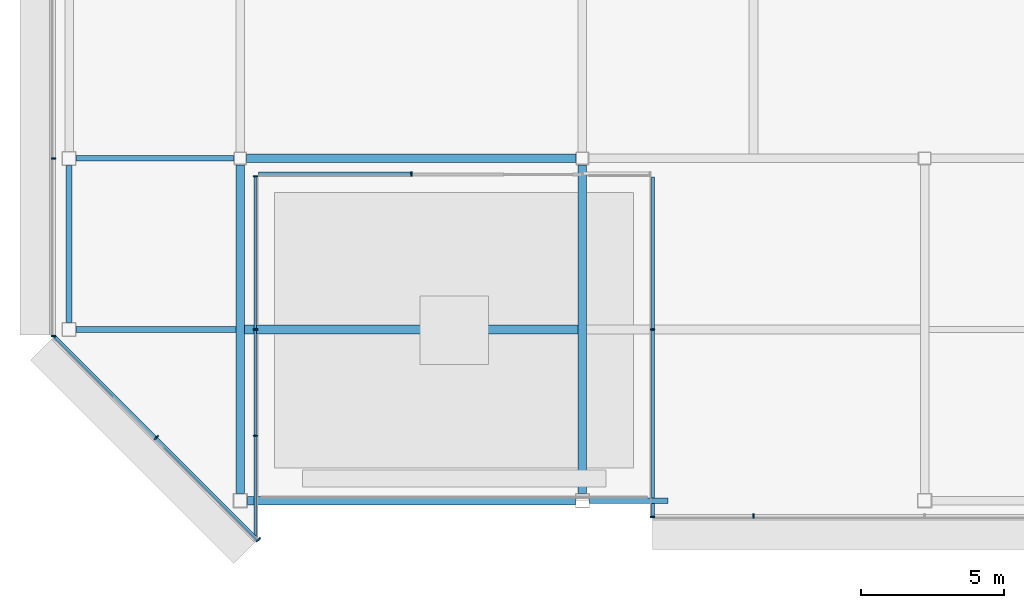
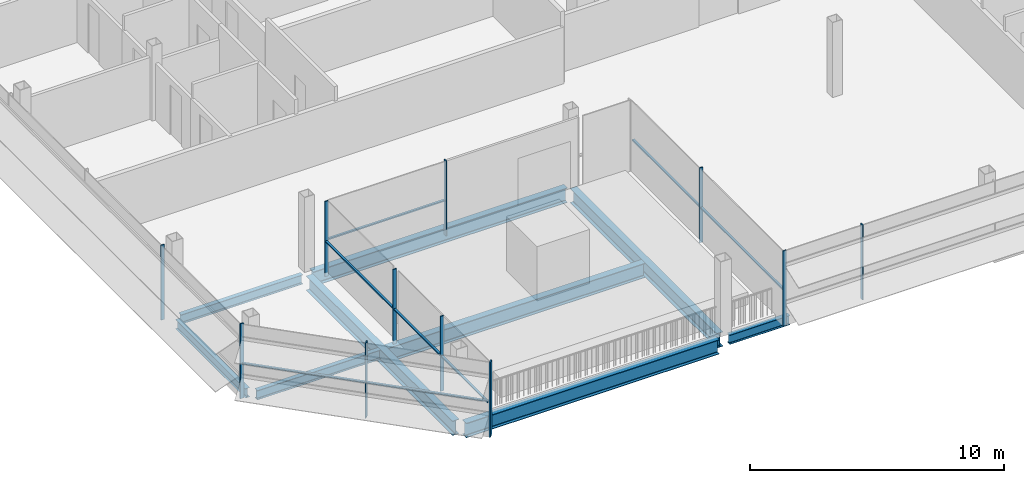
# One storey, part 4 of 31: 15 members, 9 beams, 6 elements without a shape of their own.
"""IFC4 building model written with IfcOpenShell, lengths in metres."""

from ifc_helpers import new_model, si_unit, direction, frame, origin, origin_2d, place, context, subcontext, project, spatial, rectangle, i_section, extrude, material, material_profile, profile_set, type_object, element, aggregate, save


model = new_model("IFC4")

# Units and contexts
model_context = context("Model", 3, precision=1e-05, world=origin(), true_north=direction((0.0, 1.0)))
body_context = subcontext(model_context, "Body", "Model", "MODEL_VIEW")
ifc_project = project(units=[si_unit("LENGTHUNIT", "METRE"), si_unit("AREAUNIT", "SQUARE_METRE"), si_unit("VOLUMEUNIT", "CUBIC_METRE"), si_unit("PLANEANGLEUNIT", "RADIAN"), si_unit("MASSUNIT", "GRAM", prefix="KILO")], contexts=[model_context])

# Site, building, storey
site_placement = place(None, origin())
site = spatial("IfcSite", under=ifc_project, at=site_placement, CompositionType="ELEMENT")
building_placement = place(site_placement, origin())
building = spatial("IfcBuilding", under=site, at=building_placement, Name="Sorahane Residences", CompositionType="ELEMENT")
storey_placement = place(building_placement, frame((0.0, 0.0, 319.60009765625)))
storey = spatial("IfcBuildingStorey", under=building, at=storey_placement, Name="L76", CompositionType="ELEMENT", Elevation=319.60009765625)

# Curtain wall, members
ifc_material_1 = material(Name="Dark low-e glass and black anodised aluminium", Category="aluminium")
curtain_wall_type_1 = type_object("IfcCurtainWallType", Name="Curtain wall CW-1 Typical unitised wall", PredefinedType="NOTDEFINED", material=ifc_material_1)
curtain_wall_1_placement = place(storey_placement, origin())
curtain_wall_1 = element("IfcCurtainWall", 1, at=curtain_wall_1_placement, inside=storey, type_object=curtain_wall_type_1, Name="CW-1 curtain wall L76 E1", PredefinedType="NOTDEFINED")
ifc_material_2 = material(Name="Black anodised aluminium", Category="aluminium")
ifc_material_profile_1 = material_profile(ifc_material_2, rectangle(XDim=0.159912109375, YDim=0.050048828125, at=origin_2d()), Name="Curtain wall mullion CW-1 black anodised aluminium 50x160")
ifc_profile_set_1 = profile_set([ifc_material_profile_1], Name="Black anodised aluminium")
member_type_1 = type_object("IfcMemberType", Name="Curtain wall mullion CW-1 black anodised aluminium 50x160", PredefinedType="MULLION", material=ifc_profile_set_1)
member_1_placement = place(storey_placement, frame((-11.4599609375, 2.275634765625, -0.18017578125), z_axis=(0.0, 0.0, 1.0), x_axis=(1.0, 0.0, 0.0)))
member_1 = element("IfcMember", 2, at=member_1_placement, type_object=member_type_1, Name="CW-1 mullion L76 E1.2", PredefinedType="MULLION", context=body_context, shape_type="SweptSolid", body=[
    extrude(rectangle(XDim=0.159912109375, YDim=0.050048828125, at=origin_2d()), origin(), (0.0, 0.0, 1.0), 3.60009765625),
])
member_2_placement = place(storey_placement, frame((-11.4599609375, 6.0, -0.18017578125), z_axis=(0.0, 0.0, 1.0), x_axis=(1.0, 0.0, 0.0)))
member_2 = element("IfcMember", 3, at=member_2_placement, type_object=member_type_1, Name="CW-1 mullion L76 E1.3", PredefinedType="MULLION", context=body_context, shape_type="SweptSolid", body=[
    extrude(rectangle(XDim=0.159912109375, YDim=0.050048828125, at=origin_2d()), origin(), (0.0, 0.0, 1.0), 3.60009765625),
])
member_3_placement = place(storey_placement, frame((-11.4599609375, 11.375, -0.18017578125), z_axis=(0.0, 0.0, 1.0), x_axis=(1.0, 0.0, 0.0)))
member_3 = element("IfcMember", 4, at=member_3_placement, type_object=member_type_1, Name="CW-1 mullion L76 E1.4", PredefinedType="MULLION", context=body_context, shape_type="SweptSolid", body=[
    extrude(rectangle(XDim=0.159912109375, YDim=0.050048828125, at=origin_2d()), origin(), (0.0, 0.0, 1.0), 3.60009765625),
])

# Curtain wall, member
curtain_wall_2_placement = place(storey_placement, origin())
curtain_wall_2 = element("IfcCurtainWall", 5, at=curtain_wall_2_placement, inside=storey, type_object=curtain_wall_type_1, Name="CW-1 curtain wall L76 S1", PredefinedType="NOTDEFINED")
member_4_placement = place(storey_placement, frame((-6.0, 11.4599609375, -0.18017578125), z_axis=(0.0, 0.0, 1.0), x_axis=(0.0, -1.0, 0.0)))
member_4 = element("IfcMember", 6, at=member_4_placement, type_object=member_type_1, Name="CW-1 mullion L76 S1.2", PredefinedType="MULLION", context=body_context, shape_type="SweptSolid", body=[
    extrude(rectangle(XDim=0.159912109375, YDim=0.050048828125, at=origin_2d()), origin(), (0.0, 0.0, 1.0), 3.60009765625),
])

# Curtain wall, members
curtain_wall_3_placement = place(storey_placement, origin())
curtain_wall_3 = element("IfcCurtainWall", 7, at=curtain_wall_3_placement, inside=storey, type_object=curtain_wall_type_1, Name="CW-1 curtain wall L76 W1", PredefinedType="NOTDEFINED")
member_5_placement = place(storey_placement, frame((2.4599609375, 6.0, -0.18017578125), z_axis=(0.0, 0.0, 1.0), x_axis=(-1.0, 0.0, 0.0)))
member_5 = element("IfcMember", 8, at=member_5_placement, type_object=member_type_1, Name="CW-1 mullion L76 W1.2", PredefinedType="MULLION", context=body_context, shape_type="SweptSolid", body=[
    extrude(rectangle(XDim=0.159912109375, YDim=0.050048828125, at=origin_2d()), origin(), (0.0, 0.0, 1.0), 3.60009765625),
])
member_6_placement = place(storey_placement, frame((2.4599609375, -0.574951171875, -0.18017578125), z_axis=(0.0, 0.0, 1.0), x_axis=(-1.0, 0.0, 0.0)))
member_6 = element("IfcMember", 9, at=member_6_placement, type_object=member_type_1, Name="CW-1 mullion L76 W1.3", PredefinedType="MULLION", context=body_context, shape_type="SweptSolid", body=[
    extrude(rectangle(XDim=0.159912109375, YDim=0.050048828125, at=origin_2d()), origin(), (0.0, 0.0, 1.0), 3.60009765625),
])

# Curtain wall, member
curtain_wall_4_placement = place(storey_placement, origin())
curtain_wall_4 = element("IfcCurtainWall", 10, at=curtain_wall_4_placement, inside=storey, type_object=curtain_wall_type_1, Name="CW-1 curtain wall L76 S2", PredefinedType="NOTDEFINED")
member_7_placement = place(storey_placement, frame((6.0, -0.5400390625, -0.18017578125), z_axis=(0.0, 0.0, 1.0), x_axis=(0.0, -1.0, 0.0)))
member_7 = element("IfcMember", 11, at=member_7_placement, type_object=member_type_1, Name="CW-1 mullion L76 S2.2", PredefinedType="MULLION", context=body_context, shape_type="SweptSolid", body=[
    extrude(rectangle(XDim=0.159912109375, YDim=0.050048828125, at=origin_2d()), origin(), (0.0, 0.0, 1.0), 3.60009765625),
])
aggregate(curtain_wall_4, [member_7])

# Curtain wall, members
curtain_wall_5_placement = place(storey_placement, origin())
curtain_wall_5 = element("IfcCurtainWall", 12, at=curtain_wall_5_placement, inside=storey, type_object=curtain_wall_type_1, Name="CW-1 curtain wall L76 W2", PredefinedType="NOTDEFINED")
member_8_placement = place(storey_placement, frame((-18.5400390625, 12.0, -0.18017578125), z_axis=(0.0, 0.0, 1.0), x_axis=(-1.0, 0.0, 0.0)))
member_8 = element("IfcMember", 13, at=member_8_placement, type_object=member_type_1, Name="CW-1 mullion L76 W2.6", PredefinedType="MULLION", context=body_context, shape_type="SweptSolid", body=[
    extrude(rectangle(XDim=0.159912109375, YDim=0.050048828125, at=origin_2d()), origin(), (0.0, 0.0, 1.0), 3.60009765625),
])
member_9_placement = place(storey_placement, frame((-18.5400390625, 5.7763671875, -0.18017578125), z_axis=(0.0, 0.0, 1.0), x_axis=(-1.0, 0.0, 0.0)))
member_9 = element("IfcMember", 14, at=member_9_placement, type_object=member_type_1, Name="CW-1 mullion L76 W2.7", PredefinedType="MULLION", context=body_context, shape_type="SweptSolid", body=[
    extrude(rectangle(XDim=0.159912109375, YDim=0.050048828125, at=origin_2d()), origin(), (0.0, 0.0, 1.0), 3.60009765625),
])
aggregate(curtain_wall_5, [member_8, member_9])

ifc_material_3 = material(Name="Dark low-e glass and black anodised aluminium", Category="aluminium")
curtain_wall_type_2 = type_object("IfcCurtainWallType", Name="Curtain wall CW-2 Chamfer unitised wall", PredefinedType="NOTDEFINED", material=ifc_material_3)
curtain_wall_6_placement = place(storey_placement, origin())
curtain_wall_6 = element("IfcCurtainWall", 15, at=curtain_wall_6_placement, inside=storey, type_object=curtain_wall_type_2, Name="CW-2 curtain wall L76 SW1", PredefinedType="NOTDEFINED")
ifc_material_4 = material(Name="Black anodised aluminium", Category="aluminium")
ifc_material_profile_2 = material_profile(ifc_material_4, rectangle(XDim=0.199951171875, YDim=0.050048828125, at=origin_2d()), Name="Curtain wall mullion CW-2 black anodised aluminium 50x200")
ifc_profile_set_2 = profile_set([ifc_material_profile_2], Name="Black anodised aluminium")
member_type_2 = type_object("IfcMemberType", Name="Curtain wall mullion CW-2 black anodised aluminium 50x200", PredefinedType="MULLION", material=ifc_profile_set_2)
member_10_placement = place(storey_placement, frame((-14.943359375, 2.2080078125, -0.18017578125), z_axis=(0.0, 0.0, 1.0), x_axis=(-0.707106781187, -0.707106781187, 0.0)))
member_10 = element("IfcMember", 16, at=member_10_placement, type_object=member_type_2, Name="CW-2 mullion L76 SW1.2", PredefinedType="MULLION", context=body_context, shape_type="SweptSolid", body=[
    extrude(rectangle(XDim=0.199951171875, YDim=0.050048828125, at=origin_2d()), origin(), (0.0, 0.0, 1.0), 3.60009765625),
])
member_11_placement = place(storey_placement, frame((-11.361083984375, -1.374267578125, -0.18017578125), z_axis=(0.0, 0.0, 1.0), x_axis=(-0.707106781187, -0.707106781187, 0.0)))
member_11 = element("IfcMember", 17, at=member_11_placement, type_object=member_type_2, Name="CW-2 mullion L76 SW1.3", PredefinedType="MULLION", context=body_context, shape_type="SweptSolid", body=[
    extrude(rectangle(XDim=0.199951171875, YDim=0.050048828125, at=origin_2d()), origin(), (0.0, 0.0, 1.0), 3.60009765625),
])

# Member
ifc_material_5 = material(Name="Black anodised aluminium", Category="aluminium")
ifc_material_profile_3 = material_profile(ifc_material_5, rectangle(XDim=0.10009765625, YDim=0.06005859375, at=origin_2d()), Name="Curtain wall transom CW-1 black anodised aluminium 60x100")
ifc_profile_set_3 = profile_set([ifc_material_profile_3], Name="Black anodised aluminium")
member_type_3 = type_object("IfcMemberType", Name="Curtain wall transom CW-1 black anodised aluminium 60x100", PredefinedType="USERDEFINED", material=ifc_profile_set_3)
member_12_placement = place(storey_placement, frame((-11.469970703125, -1.3984375, 1.5), z_axis=(0.0, 1.0, 0.0), x_axis=(-1.0, 0.0, 0.0)))
member_12 = element("IfcMember", 18, at=member_12_placement, type_object=member_type_3, Name="CW-1 transom L76 E1", ObjectType="TRANSOM", PredefinedType="USERDEFINED", context=body_context, shape_type="SweptSolid", body=[
    extrude(rectangle(XDim=0.10009765625, YDim=0.06005859375, at=origin_2d()), origin(), (0.0, 0.0, 1.0), 12.74853515625),
])

aggregate(curtain_wall_1, [member_1, member_2, member_3, member_12])

member_13_placement = place(storey_placement, frame((-11.35009765625, 11.469970703125, 1.5), z_axis=(1.0, 0.0, 0.0), x_axis=(0.0, 1.0, 0.0)))
member_13 = element("IfcMember", 19, at=member_13_placement, type_object=member_type_3, Name="CW-1 transom L76 S1.1", ObjectType="TRANSOM", PredefinedType="USERDEFINED", context=body_context, shape_type="SweptSolid", body=[
    extrude(rectangle(XDim=0.10009765625, YDim=0.06005859375, at=origin_2d()), origin(), (0.0, 0.0, 1.0), 5.3251953125),
])

aggregate(curtain_wall_2, [member_4, member_13])

member_14_placement = place(storey_placement, frame((2.469970703125, 11.35009765625, 1.5), z_axis=(0.0, -1.0, 0.0), x_axis=(1.0, 0.0, 0.0)))
member_14 = element("IfcMember", 20, at=member_14_placement, type_object=member_type_3, Name="CW-1 transom L76 W1", ObjectType="TRANSOM", PredefinedType="USERDEFINED", context=body_context, shape_type="SweptSolid", body=[
    extrude(rectangle(XDim=0.10009765625, YDim=0.06005859375, at=origin_2d()), origin(), (0.0, 0.0, 1.0), 11.900146484375),
])

aggregate(curtain_wall_3, [member_5, member_6, member_14])

ifc_material_6 = material(Name="Black anodised aluminium", Category="aluminium")
ifc_material_profile_4 = material_profile(ifc_material_6, rectangle(XDim=0.10009765625, YDim=0.06005859375, at=origin_2d()), Name="Curtain wall transom CW-2 black anodised aluminium 60x100")
ifc_profile_set_4 = profile_set([ifc_material_profile_4], Name="Black anodised aluminium")
member_type_4 = type_object("IfcMemberType", Name="Curtain wall transom CW-2 black anodised aluminium 60x100", PredefinedType="USERDEFINED", material=ifc_profile_set_4)
member_15_placement = place(storey_placement, frame((-18.51513671875, 5.765625, 1.5), z_axis=(0.707106781187, -0.707106781187, 0.0), x_axis=(0.707106781187, 0.707106781187, 0.0)))
member_15 = element("IfcMember", 21, at=member_15_placement, type_object=member_type_4, Name="CW-2 transom L76 SW1", ObjectType="TRANSOM", PredefinedType="USERDEFINED", context=body_context, shape_type="SweptSolid", body=[
    extrude(rectangle(XDim=0.10009765625, YDim=0.06005859375, at=origin_2d()), origin(), (0.0, 0.0, 1.0), 10.08251953125),
])

aggregate(curtain_wall_6, [member_10, member_11, member_15])

# Beams
ifc_material_7 = material(Name="Steel Q355B", Category="steel")
ifc_material_profile_5 = material_profile(ifc_material_7, i_section(OverallWidth=0.199951171875, OverallDepth=0.449951171875, WebThickness=0.009033203125, FlangeThickness=0.013916015625, FilletRadius=0.02001953125, at=origin_2d()), Name="HN 450x200x9x14")
ifc_profile_set_5 = profile_set([ifc_material_profile_5], Name="Steel Q355B")
beam_type_1 = type_object("IfcBeamType", Name="Steel floor beam HN 450x200x9x14 Q355B", PredefinedType="BEAM", material=ifc_profile_set_5)
beam_1_placement = place(storey_placement, frame((0.25, 0.0, -0.405029296875), z_axis=(1.0, 0.0, 0.0), x_axis=(0.0, 1.0, 0.0)))
element("IfcBeam", 22, at=beam_1_placement, inside=storey, type_object=beam_type_1, Name="Beam L76 001", PredefinedType="BEAM", context=body_context, shape_type="SweptSolid", body=[
    extrude(i_section(OverallWidth=0.199951171875, OverallDepth=0.449951171875, WebThickness=0.009033203125, FlangeThickness=0.013916015625, FilletRadius=0.02001953125, at=origin_2d()), origin(), (0.0, 0.0, 1.0), 2.75),
])
beam_2_placement = place(storey_placement, frame((-17.75, 12.0, -0.405029296875), z_axis=(1.0, 0.0, 0.0), x_axis=(0.0, 1.0, 0.0)))
element("IfcBeam", 23, at=beam_2_placement, inside=storey, type_object=beam_type_1, Name="Beam L76 005", PredefinedType="BEAM", context=body_context, shape_type="SweptSolid", body=[
    extrude(i_section(OverallWidth=0.199951171875, OverallDepth=0.449951171875, WebThickness=0.009033203125, FlangeThickness=0.013916015625, FilletRadius=0.02001953125, at=origin_2d()), origin(), (0.0, 0.0, 1.0), 5.52490234375),
])
beam_3_placement = place(storey_placement, frame((-18.0, 6.25, -0.405029296875), z_axis=(0.0, 1.0, 0.0), x_axis=(-1.0, 0.0, 0.0)))
element("IfcBeam", 24, at=beam_3_placement, inside=storey, type_object=beam_type_1, Name="Beam L76 020", PredefinedType="BEAM", context=body_context, shape_type="SweptSolid", body=[
    extrude(i_section(OverallWidth=0.199951171875, OverallDepth=0.449951171875, WebThickness=0.009033203125, FlangeThickness=0.013916015625, FilletRadius=0.02001953125, at=origin_2d()), origin(), (0.0, 0.0, 1.0), 5.5),
])
beam_4_placement = place(storey_placement, frame((-17.75, 6.0, -0.405029296875), z_axis=(1.0, 0.0, 0.0), x_axis=(0.0, 1.0, 0.0)))
element("IfcBeam", 25, at=beam_4_placement, inside=storey, type_object=beam_type_1, Name="Beam L76 065", PredefinedType="BEAM", context=body_context, shape_type="SweptSolid", body=[
    extrude(i_section(OverallWidth=0.199951171875, OverallDepth=0.449951171875, WebThickness=0.009033203125, FlangeThickness=0.013916015625, FilletRadius=0.02001953125, at=origin_2d()), origin(), (0.0, 0.0, 1.0), 5.60009765625),
])
ifc_material_8 = material(Name="Steel Q355B", Category="steel")
ifc_material_profile_6 = material_profile(ifc_material_8, i_section(OverallWidth=0.300048828125, OverallDepth=0.699951171875, WebThickness=0.012939453125, FlangeThickness=0.02392578125, FilletRadius=0.028076171875, at=origin_2d()), Name="HN 700x300x13x24")
ifc_profile_set_6 = profile_set([ifc_material_profile_6], Name="Steel Q355B")
beam_type_2 = type_object("IfcBeamType", Name="Steel floor beam HN 700x300x13x24 Q355B", PredefinedType="BEAM", material=ifc_profile_set_6)
beam_5_placement = place(storey_placement, frame((-11.75, 0.0, -0.530029296875), z_axis=(1.0, 0.0, 0.0), x_axis=(0.0, 1.0, 0.0)))
element("IfcBeam", 26, at=beam_5_placement, inside=storey, type_object=beam_type_2, Name="Beam L76 000", PredefinedType="BEAM", context=body_context, shape_type="SweptSolid", body=[
    extrude(i_section(OverallWidth=0.300048828125, OverallDepth=0.699951171875, WebThickness=0.012939453125, FlangeThickness=0.02392578125, FilletRadius=0.028076171875, at=origin_2d()), origin(), (0.0, 0.0, 1.0), 11.5),
])
beam_6_placement = place(storey_placement, frame((-11.77490234375, 12.0, -0.530029296875), z_axis=(1.0, 0.0, 0.0), x_axis=(0.0, 1.0, 0.0)))
element("IfcBeam", 27, at=beam_6_placement, inside=storey, type_object=beam_type_2, Name="Beam L76 006", PredefinedType="BEAM", context=body_context, shape_type="SweptSolid", body=[
    extrude(i_section(OverallWidth=0.300048828125, OverallDepth=0.699951171875, WebThickness=0.012939453125, FlangeThickness=0.02392578125, FilletRadius=0.028076171875, at=origin_2d()), origin(), (0.0, 0.0, 1.0), 11.5498046875),
])
for number, where, z_axis, x_axis, name in (
    (28, (-12.0, 0.25, -0.530029296875), (0.0, 1.0, 0.0), (-1.0, 0.0, 0.0), "Beam L76 024"),
    (29, (0.0, 0.25, -0.530029296875), (0.0, 1.0, 0.0), (-1.0, 0.0, 0.0), "Beam L76 028"),
):
    element("IfcBeam", number, at=place(storey_placement, frame(where, z_axis=z_axis, x_axis=x_axis)), inside=storey, type_object=beam_type_2, Name=name, PredefinedType="BEAM", context=body_context, shape_type="SweptSolid", body=[
        extrude(i_section(OverallWidth=0.300048828125, OverallDepth=0.699951171875, WebThickness=0.012939453125, FlangeThickness=0.02392578125, FilletRadius=0.028076171875, at=origin_2d()), origin(), (0.0, 0.0, 1.0), 11.52490234375),
    ])
beam_7_placement = place(storey_placement, frame((-11.85009765625, 6.0, -0.530029296875), z_axis=(1.0, 0.0, 0.0), x_axis=(0.0, 1.0, 0.0)))
element("IfcBeam", 30, at=beam_7_placement, inside=storey, type_object=beam_type_2, Name="Beam L76 066", PredefinedType="BEAM", context=body_context, shape_type="SweptSolid", body=[
    extrude(i_section(OverallWidth=0.300048828125, OverallDepth=0.699951171875, WebThickness=0.012939453125, FlangeThickness=0.02392578125, FilletRadius=0.028076171875, at=origin_2d()), origin(), (0.0, 0.0, 1.0), 11.7001953125),
])

save(model, "model.ifc")
